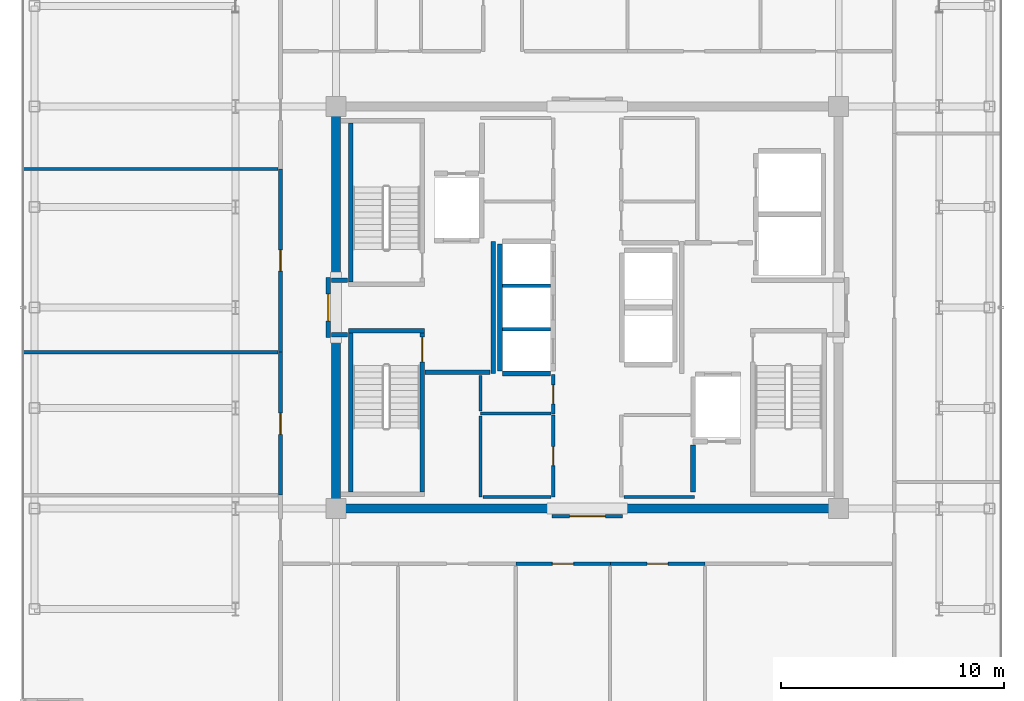
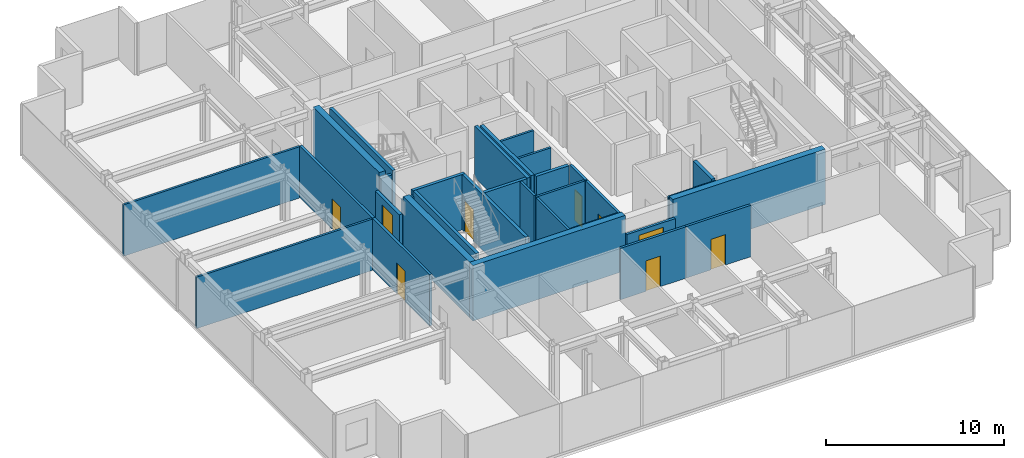
# One storey, part 13 of 18: 32 walls, 9 doors, 9 openings.
"""IFC4 building model written with IfcOpenShell, lengths in metres."""

from ifc_helpers import new_model, si_unit, direction, frame, frame_2d, origin, place, context, subcontext, project, spatial, rectangle, extrude, source, transform, mapped, material, layer, layer_set, type_object, element, fill, save


model = new_model("IFC4")

# Units and contexts
model_context = context("Model", 3, precision=1e-05, world=origin(), true_north=direction((0.0, 1.0)))
body_context = subcontext(model_context, "Body", "Model", "MODEL_VIEW")
ifc_project = project(units=[si_unit("LENGTHUNIT", "METRE"), si_unit("AREAUNIT", "SQUARE_METRE"), si_unit("VOLUMEUNIT", "CUBIC_METRE"), si_unit("PLANEANGLEUNIT", "RADIAN"), si_unit("MASSUNIT", "GRAM", prefix="KILO")], contexts=[model_context])

# Site, building, storey
site_placement = place(None, origin())
site = spatial("IfcSite", under=ifc_project, at=site_placement, CompositionType="ELEMENT")
building_placement = place(site_placement, origin())
building = spatial("IfcBuilding", under=site, at=building_placement, Name="Nefas-Gora Pilgrimage Tower", CompositionType="ELEMENT")
storey_placement = place(building_placement, frame((0.0, 0.0, 330.0)))
storey = spatial("IfcBuildingStorey", under=building, at=storey_placement, Name="L83", CompositionType="ELEMENT", Elevation=330.0)

# Walls
ifc_material_1 = material(Name="Concrete C50/60", Category="concrete")
ifc_layer_1 = layer(ifc_material_1, 0.39990234375)
ifc_layer_set_1 = layer_set([ifc_layer_1], Name="Concrete C50/60")
wall_type_1 = type_object("IfcWallType", Name="SW-CORE-400", PredefinedType="SHEAR", material=ifc_layer_set_1)
shared_shape_1 = source(origin(), body_context, "Body", "SweptSolid", [
    extrude(rectangle(XDim=9.89990234375, YDim=0.39990234375, at=frame_2d((4.949951171875, 0.0))), origin(), (0.0, 0.0, 1.0), 3.800048828125),
])
for number, where, z_axis, x_axis, name in (
    (1, (-11.449951171875, -9.0, 0.0), (0.0, 0.0, 1.0), (1.0, 0.0, 0.0), "L83 Core Shear Wall S-West"),
    (2, (1.550048828125, -9.0, 0.0), (0.0, 0.0, 1.0), (1.0, 0.0, 0.0), "L83 Core Shear Wall S-East"),
):
    element("IfcWall", number, at=place(storey_placement, frame(where, z_axis=z_axis, x_axis=x_axis)), inside=storey, type_object=wall_type_1, Name=name, PredefinedType="SHEAR", context=body_context, shape_type="MappedRepresentation", body=[
        mapped(shared_shape_1, transform((0.0, 0.0, 0.0), x_axis=(1.0, 0.0, 0.0), y_axis=(0.0, 1.0, 0.0), z_axis=(0.0, 0.0, 1.0), scale=1.0)),
    ])
shared_shape_2 = source(origin(), body_context, "Body", "SweptSolid", [
    extrude(rectangle(XDim=7.449951171875, YDim=0.39990234375, at=frame_2d((3.72509765625, 0.0))), origin(), (0.0, 0.0, 1.0), 3.800048828125),
])
for number, where, z_axis, x_axis, name in (
    (3, (-11.25, -8.800048828125, 0.0), (0.0, 0.0, 1.0), (0.0, 1.0, 0.0), "L83 Core Shear Wall W-South"),
    (4, (-11.25, 1.35009765625, 0.0), (0.0, 0.0, 1.0), (0.0, 1.0, 0.0), "L83 Core Shear Wall W-North"),
):
    element("IfcWall", number, at=place(storey_placement, frame(where, z_axis=z_axis, x_axis=x_axis)), inside=storey, type_object=wall_type_1, Name=name, PredefinedType="SHEAR", context=body_context, shape_type="MappedRepresentation", body=[
        mapped(shared_shape_2, transform((0.0, 0.0, 0.0), x_axis=(1.0, 0.0, 0.0), y_axis=(0.0, 1.0, 0.0), z_axis=(0.0, 0.0, 1.0), scale=1.0)),
    ])
ifc_material_2 = material(Name="Concrete C45/55", Category="concrete")
ifc_layer_2 = layer(ifc_material_2, 0.199951171875)
ifc_layer_set_2 = layer_set([ifc_layer_2], Name="Concrete C45/55")
wall_type_2 = type_object("IfcWallType", Name="IW-STAIR-200", PredefinedType="SOLIDWALL", material=ifc_layer_set_2)
shared_shape_3 = source(origin(), body_context, "Body", "SweptSolid", [
    extrude(rectangle(XDim=3.39990234375, YDim=0.199951171875, at=frame_2d((1.699951171875, 0.0))), origin(), (0.0, 0.0, 1.0), 3.800048828125),
])
wall_1_placement = place(storey_placement, frame((-10.699951171875, -1.050048828125, 0.0), z_axis=(0.0, 0.0, 1.0), x_axis=(1.0, 0.0, 0.0)))
element("IfcWall", 5, at=wall_1_placement, inside=storey, type_object=wall_type_2, Name="L83 Stairwell Shear Wall ST-03-near", PredefinedType="SOLIDWALL", context=body_context, shape_type="MappedRepresentation", body=[
    mapped(shared_shape_3, transform((0.0, 0.0, 0.0), x_axis=(1.0, 0.0, 0.0), y_axis=(0.0, 1.0, 0.0), z_axis=(0.0, 0.0, 1.0), scale=1.0)),
])
shared_shape_4 = source(origin(), body_context, "Body", "SweptSolid", [
    extrude(rectangle(XDim=7.10009765625, YDim=0.199951171875, at=frame_2d((3.550048828125, 0.0))), origin(), (0.0, 0.0, 1.0), 3.800048828125),
])
for number, where, z_axis, x_axis, name in (
    (6, (-10.60009765625, 1.14990234375, 0.0), (0.0, 0.0, 1.0), (0.0, 1.0, 0.0), "L83 Stairwell Shear Wall ST-01-right"),
    (7, (-10.60009765625, -1.14990234375, 0.0), (0.0, 0.0, 1.0), (0.0, -1.0, 0.0), "L83 Stairwell Shear Wall ST-03-left"),
):
    element("IfcWall", number, at=place(storey_placement, frame(where, z_axis=z_axis, x_axis=x_axis)), inside=storey, type_object=wall_type_2, Name=name, PredefinedType="SOLIDWALL", context=body_context, shape_type="MappedRepresentation", body=[
        mapped(shared_shape_4, transform((0.0, 0.0, 0.0), x_axis=(1.0, 0.0, 0.0), y_axis=(0.0, 1.0, 0.0), z_axis=(0.0, 0.0, 1.0), scale=1.0)),
    ])

# Wall, opening, door
wall_2_placement = place(storey_placement, frame((-7.39990234375, -1.14990234375, 0.0), z_axis=(0.0, 0.0, 1.0), x_axis=(0.0, -1.0, 0.0)))
wall_2 = element("IfcWall", 8, at=wall_2_placement, inside=storey, type_object=wall_type_2, Name="L83 Stairwell Shear Wall ST-03-right", PredefinedType="SOLIDWALL", context=body_context, shape_type="MappedRepresentation", body=[
    mapped(shared_shape_4, transform((0.0, 0.0, 0.0), x_axis=(1.0, 0.0, 0.0), y_axis=(0.0, 1.0, 0.0), z_axis=(0.0, 0.0, 1.0), scale=1.0)),
])
opening_1_placement = place(wall_2_placement, frame((0.179931640625, 0.0, 0.0)))
opening_1 = element("IfcOpeningElement", 9, at=opening_1_placement, cuts=wall_2, Name="Opening ID-ST1", PredefinedType="OPENING", context=body_context, shape_type="SweptSolid", body=[
    extrude(rectangle(XDim=1.10009765625, YDim=2.14990234375, at=frame_2d((0.550048828125, 1.074951171875))), frame((0.0, 0.10986328125, 0.0), z_axis=(0.0, -1.0, 0.0), x_axis=(1.0, 0.0, 0.0)), (0.0, 0.0, 1.0), 0.219970703125),
])
ifc_material_3 = material(Name="Painted galvanised steel fire stair door", Category="steel")
door_type_1 = type_object("IfcDoorType", Name="DR-INT-STAIR-1100", OperationType="NOTDEFINED", PredefinedType="DOOR", material=ifc_material_3)
shared_shape_5 = source(origin(), body_context, "Body", "SweptSolid", [
    extrude(rectangle(XDim=1.10009765625, YDim=2.14990234375, at=frame_2d((0.550048828125, 1.074951171875))), frame((0.0, 0.02490234375, 0.0), z_axis=(0.0, -1.0, 0.0), x_axis=(1.0, 0.0, 0.0)), (0.0, 0.0, 1.0), 0.050048828125),
])
door_1_placement = place(opening_1_placement, origin())
door_1 = element("IfcDoor", 10, at=door_1_placement, inside=storey, type_object=door_type_1, Name="L83 Protected Exit Stair Door ST-03", OperationType="SINGLE_SWING_LEFT", OverallHeight=2.14990234375, OverallWidth=1.10009765625, PredefinedType="DOOR", context=body_context, shape_type="MappedRepresentation", body=[
    mapped(shared_shape_5, transform((0.0, 0.0, 0.0), x_axis=(1.0, 0.0, 0.0), y_axis=(0.0, 1.0, 0.0), z_axis=(0.0, 0.0, 1.0), scale=1.0)),
])
fill(opening_1, door_1)

# Walls
ifc_material_4 = material(Name="Concrete C40/50", Category="concrete")
ifc_layer_3 = layer(ifc_material_4, 0.219970703125)
ifc_layer_set_3 = layer_set([ifc_layer_3], Name="Concrete C40/50")
wall_type_3 = type_object("IfcWallType", Name="IW-SHAFT-220", PredefinedType="SOLIDWALL", material=ifc_layer_set_3)
shared_shape_6 = source(origin(), body_context, "Body", "SweptSolid", [
    extrude(rectangle(XDim=5.7001953125, YDim=0.219970703125, at=frame_2d((2.85009765625, 0.0))), origin(), (0.0, 0.0, 1.0), 3.534912109375),
])
wall_3_placement = place(storey_placement, frame((-3.909912109375, 2.85009765625, 0.0), z_axis=(0.0, 0.0, 1.0), x_axis=(0.0, -1.0, 0.0)))
element("IfcWall", 11, at=wall_3_placement, inside=storey, type_object=wall_type_3, Name="L83 Hoistway Wall PL3-01-03-W", PredefinedType="SOLIDWALL", context=body_context, shape_type="MappedRepresentation", body=[
    mapped(shared_shape_6, transform((0.0, 0.0, 0.0), x_axis=(1.0, 0.0, 0.0), y_axis=(0.0, 1.0, 0.0), z_axis=(0.0, 0.0, 1.0), scale=1.0)),
])
shared_shape_7 = source(origin(), body_context, "Body", "SweptSolid", [
    extrude(rectangle(XDim=2.130126953125, YDim=0.219970703125, at=frame_2d((1.06494140625, 0.0))), origin(), (0.0, 0.0, 1.0), 3.534912109375),
])
wall_4_placement = place(storey_placement, frame((-3.7900390625, -2.9599609375, 0.0), z_axis=(0.0, 0.0, 1.0), x_axis=(1.0, 0.0, 0.0)))
element("IfcWall", 12, at=wall_4_placement, inside=storey, type_object=wall_type_3, Name="L83 Hoistway Wall PL3-01-S", PredefinedType="SOLIDWALL", context=body_context, shape_type="MappedRepresentation", body=[
    mapped(shared_shape_7, transform((0.0, 0.0, 0.0), x_axis=(1.0, 0.0, 0.0), y_axis=(0.0, 1.0, 0.0), z_axis=(0.0, 0.0, 1.0), scale=1.0)),
])
ifc_material_5 = material(Name="Gypsum twin-stud partition")
ifc_layer_4 = layer(ifc_material_5, 0.139892578125)
ifc_layer_set_4 = layer_set([ifc_layer_4], Name="Gypsum twin-stud partition")
wall_type_4 = type_object("IfcWallType", Name="IW-UNIT-140", PredefinedType="PARTITIONING", material=ifc_layer_set_4)
shared_shape_8 = source(origin(), body_context, "Body", "SweptSolid", [
    extrude(rectangle(XDim=2.130126953125, YDim=0.139892578125, at=frame_2d((1.06494140625, 0.0))), origin(), (0.0, 0.0, 1.0), 3.534912109375),
])
for number, where, z_axis, x_axis, name in (
    (13, (-3.7900390625, -0.97509765625, 0.0), (0.0, 0.0, 1.0), (1.0, 0.0, 0.0), "L83 Hoistway Wall PL3-01-02-DIV"),
    (14, (-3.7900390625, 0.97509765625, 0.0), (0.0, 0.0, 1.0), (1.0, 0.0, 0.0), "L83 Hoistway Wall PL3-02-03-DIV"),
):
    element("IfcWall", number, at=place(storey_placement, frame(where, z_axis=z_axis, x_axis=x_axis)), inside=storey, type_object=wall_type_4, Name=name, PredefinedType="PARTITIONING", context=body_context, shape_type="MappedRepresentation", body=[
        mapped(shared_shape_8, transform((0.0, 0.0, 0.0), x_axis=(1.0, 0.0, 0.0), y_axis=(0.0, 1.0, 0.0), z_axis=(0.0, 0.0, 1.0), scale=1.0)),
    ])
ifc_material_6 = material(Name="Gypsum fire-rated shaftwall")
ifc_layer_5 = layer(ifc_material_6, 0.199951171875)
ifc_layer_set_5 = layer_set([ifc_layer_5], Name="Gypsum fire-rated shaftwall")
wall_type_5 = type_object("IfcWallType", Name="IW-FFLOB-200", PredefinedType="PARTITIONING", material=ifc_layer_set_5)
shared_shape_9 = source(origin(), body_context, "Body", "SweptSolid", [
    extrude(rectangle(XDim=5.89990234375, YDim=0.199951171875, at=frame_2d((2.949951171875, 0.0))), origin(), (0.0, 0.0, 1.0), 3.534912109375),
])
wall_5_placement = place(storey_placement, frame((-4.219970703125, -2.949951171875, 0.0), z_axis=(0.0, 0.0, 1.0), x_axis=(0.0, 1.0, 0.0)))
element("IfcWall", 15, at=wall_5_placement, inside=storey, type_object=wall_type_5, Name="L83 FF Lobby West Inner Wall Wall 6", PredefinedType="PARTITIONING", context=body_context, shape_type="MappedRepresentation", body=[
    mapped(shared_shape_9, transform((0.0, 0.0, 0.0), x_axis=(1.0, 0.0, 0.0), y_axis=(0.0, 1.0, 0.0), z_axis=(0.0, 0.0, 1.0), scale=1.0)),
])
shared_shape_10 = source(origin(), body_context, "Body", "SweptSolid", [
    extrude(rectangle(XDim=2.89990234375, YDim=0.199951171875, at=frame_2d((1.449951171875, 0.0))), origin(), (0.0, 0.0, 1.0), 3.534912109375),
])
wall_6_placement = place(storey_placement, frame((-7.260009765625, -2.89990234375, 0.0), z_axis=(0.0, 0.0, 1.0), x_axis=(1.0, 0.0, 0.0)))
element("IfcWall", 16, at=wall_6_placement, inside=storey, type_object=wall_type_5, Name="L83 FF Lobby West South Wall Wall 7", PredefinedType="PARTITIONING", context=body_context, shape_type="MappedRepresentation", body=[
    mapped(shared_shape_10, transform((0.0, 0.0, 0.0), x_axis=(1.0, 0.0, 0.0), y_axis=(0.0, 1.0, 0.0), z_axis=(0.0, 0.0, 1.0), scale=1.0)),
])
shared_shape_11 = source(origin(), body_context, "Body", "SweptSolid", [
    extrude(rectangle(XDim=0.719970703125, YDim=0.199951171875, at=frame_2d((0.35986328125, 0.0))), origin(), (0.0, 0.0, 1.0), 3.534912109375),
])
for number, where, z_axis, x_axis, name in (
    (17, (-11.4599609375, 1.219970703125, 0.0), (0.0, 0.0, 1.0), (1.0, 0.0, 0.0), "L83 FF Lobby West Throat N Wall 8"),
    (18, (-11.4599609375, -1.219970703125, 0.0), (0.0, 0.0, 1.0), (1.0, 0.0, 0.0), "L83 FF Lobby West Throat S Wall 9"),
):
    element("IfcWall", number, at=place(storey_placement, frame(where, z_axis=z_axis, x_axis=x_axis)), inside=storey, type_object=wall_type_5, Name=name, PredefinedType="PARTITIONING", context=body_context, shape_type="MappedRepresentation", body=[
        mapped(shared_shape_11, transform((0.0, 0.0, 0.0), x_axis=(1.0, 0.0, 0.0), y_axis=(0.0, 1.0, 0.0), z_axis=(0.0, 0.0, 1.0), scale=1.0)),
    ])
shared_shape_12 = source(origin(), body_context, "Body", "SweptSolid", [
    extrude(rectangle(XDim=3.150146484375, YDim=0.139892578125, at=frame_2d((1.5751953125, 0.0))), origin(), (0.0, 0.0, 1.0), 3.534912109375),
])
for number, where, z_axis, x_axis, name in (
    (19, (-4.7900390625, -4.75, 0.0), (0.0, 0.0, 1.0), (1.0, 0.0, 0.0), "L83 Guest Self-Service Laundry Room Partition Wall 28"),
    (20, (1.639892578125, -8.47998046875, 0.0), (0.0, 0.0, 1.0), (1.0, 0.0, 0.0), "L83 High-Rise Tableware Store Partition Wall 35"),
):
    element("IfcWall", number, at=place(storey_placement, frame(where, z_axis=z_axis, x_axis=x_axis)), inside=storey, type_object=wall_type_4, Name=name, PredefinedType="PARTITIONING", context=body_context, shape_type="MappedRepresentation", body=[
        mapped(shared_shape_12, transform((0.0, 0.0, 0.0), x_axis=(1.0, 0.0, 0.0), y_axis=(0.0, 1.0, 0.0), z_axis=(0.0, 0.0, 1.0), scale=1.0)),
    ])
shared_shape_13 = source(origin(), body_context, "Body", "SweptSolid", [
    extrude(rectangle(XDim=11.429931640625, YDim=0.139892578125, at=frame_2d((5.71484375, 0.0))), origin(), (0.0, 0.0, 1.0), 3.534912109375),
])
for number, where, z_axis, x_axis, name in (
    (21, (-25.2900390625, -2.0048828125, 0.0), (0.0, 0.0, 1.0), (1.0, 0.0, 0.0), "L83 Pilgrim Tea and Beverage Pantry Partition Wall 42"),
    (22, (-25.2900390625, 6.195068359375, 0.0), (0.0, 0.0, 1.0), (1.0, 0.0, 0.0), "L83 Pilgrim Tea and Beverage Pantry Partition Wall 44"),
):
    element("IfcWall", number, at=place(storey_placement, frame(where, z_axis=z_axis, x_axis=x_axis)), inside=storey, type_object=wall_type_4, Name=name, PredefinedType="PARTITIONING", context=body_context, shape_type="MappedRepresentation", body=[
        mapped(shared_shape_13, transform((0.0, 0.0, 0.0), x_axis=(1.0, 0.0, 0.0), y_axis=(0.0, 1.0, 0.0), z_axis=(0.0, 0.0, 1.0), scale=1.0)),
    ])

# Wall, opening, door
ifc_material_7 = material(Name="Gypsum acoustic stud partition")
ifc_layer_6 = layer(ifc_material_7, 0.159912109375)
ifc_layer_set_6 = layer_set([ifc_layer_6], Name="Gypsum acoustic stud partition")
wall_type_6 = type_object("IfcWallType", Name="IW-CORR-160", PredefinedType="PARTITIONING", material=ifc_layer_set_6)
shared_shape_14 = source(origin(), body_context, "Body", "SweptSolid", [
    extrude(rectangle(XDim=1.75, YDim=0.159912109375, at=frame_2d((0.875, 0.0))), origin(), (0.0, 0.0, 1.0), 3.534912109375),
])
wall_7_placement = place(storey_placement, frame((-1.52001953125, -4.760009765625, 0.0), z_axis=(0.0, 0.0, 1.0), x_axis=(0.0, 1.0, 0.0)))
wall_7 = element("IfcWall", 23, at=wall_7_placement, inside=storey, type_object=wall_type_6, Name="L83 Guest Self-Service Laundry Room Wall 27", PredefinedType="PARTITIONING", context=body_context, shape_type="MappedRepresentation", body=[
    mapped(shared_shape_14, transform((0.0, 0.0, 0.0), x_axis=(1.0, 0.0, 0.0), y_axis=(0.0, 1.0, 0.0), z_axis=(0.0, 0.0, 1.0), scale=1.0)),
])
opening_2_placement = place(wall_7_placement, frame((0.449951171875, 0.0, 0.0)))
opening_2 = element("IfcOpeningElement", 24, at=opening_2_placement, cuts=wall_7, Name="Opening ID-BT1", PredefinedType="OPENING", context=body_context, shape_type="SweptSolid", body=[
    extrude(rectangle(XDim=0.85009765625, YDim=2.10009765625, at=frame_2d((0.425048828125, 1.050048828125))), frame((0.0, 0.08984375, 0.0), z_axis=(0.0, -1.0, 0.0), x_axis=(1.0, 0.0, 0.0)), (0.0, 0.0, 1.0), 0.179931640625),
])
ifc_material_8 = material(Name="Moisture-resistant fire-rated timber door", Category="wood")
door_type_2 = type_object("IfcDoorType", Name="DR-INT-BATH-850", OperationType="NOTDEFINED", PredefinedType="DOOR", material=ifc_material_8)
shared_shape_15 = source(origin(), body_context, "Body", "SweptSolid", [
    extrude(rectangle(XDim=0.85009765625, YDim=2.10009765625, at=frame_2d((0.425048828125, 1.050048828125))), frame((0.0, 0.02490234375, 0.0), z_axis=(0.0, -1.0, 0.0), x_axis=(1.0, 0.0, 0.0)), (0.0, 0.0, 1.0), 0.050048828125),
])
door_2_placement = place(opening_2_placement, origin())
door_2 = element("IfcDoor", 25, at=door_2_placement, inside=storey, type_object=door_type_2, Name="L83 Guest Self-Service Laundry Room Door 12", OperationType="SINGLE_SWING_LEFT", OverallHeight=2.10009765625, OverallWidth=0.85009765625, PredefinedType="DOOR", context=body_context, shape_type="MappedRepresentation", body=[
    mapped(shared_shape_15, transform((0.0, 0.0, 0.0), x_axis=(1.0, 0.0, 0.0), y_axis=(0.0, 1.0, 0.0), z_axis=(0.0, 0.0, 1.0), scale=1.0)),
])
fill(opening_2, door_2)

shared_shape_16 = source(origin(), body_context, "Body", "SweptSolid", [
    extrude(rectangle(XDim=3.679931640625, YDim=0.159912109375, at=frame_2d((1.83984375, 0.0))), origin(), (0.0, 0.0, 1.0), 3.534912109375),
])
wall_8_placement = place(storey_placement, frame((-1.52001953125, -8.489990234375, 0.0), z_axis=(0.0, 0.0, 1.0), x_axis=(0.0, 1.0, 0.0)))
wall_8 = element("IfcWall", 26, at=wall_8_placement, inside=storey, type_object=wall_type_6, Name="L83 High-Rise Linen Store Wall 30", PredefinedType="PARTITIONING", context=body_context, shape_type="MappedRepresentation", body=[
    mapped(shared_shape_16, transform((0.0, 0.0, 0.0), x_axis=(1.0, 0.0, 0.0), y_axis=(0.0, 1.0, 0.0), z_axis=(0.0, 0.0, 1.0), scale=1.0)),
])
opening_3_placement = place(wall_8_placement, frame((1.4150390625, 0.0, 0.0)))
opening_3 = element("IfcOpeningElement", 27, at=opening_3_placement, cuts=wall_8, Name="Opening ID-BT1", PredefinedType="OPENING", context=body_context, shape_type="SweptSolid", body=[
    extrude(rectangle(XDim=0.85009765625, YDim=2.10009765625, at=frame_2d((0.425048828125, 1.050048828125))), frame((0.0, 0.08984375, 0.0), z_axis=(0.0, -1.0, 0.0), x_axis=(1.0, 0.0, 0.0)), (0.0, 0.0, 1.0), 0.179931640625),
])
door_3_placement = place(opening_3_placement, origin())
door_3 = element("IfcDoor", 28, at=door_3_placement, inside=storey, type_object=door_type_2, Name="L83 High-Rise Linen Store Door 13", OperationType="SINGLE_SWING_RIGHT", OverallHeight=2.10009765625, OverallWidth=0.85009765625, PredefinedType="DOOR", context=body_context, shape_type="MappedRepresentation", body=[
    mapped(shared_shape_15, transform((0.0, 0.0, 0.0), x_axis=(1.0, 0.0, 0.0), y_axis=(0.0, 1.0, 0.0), z_axis=(0.0, 0.0, 1.0), scale=1.0)),
])
fill(opening_3, door_3)

shared_shape_17 = source(origin(), body_context, "Body", "SweptSolid", [
    extrude(rectangle(XDim=2.7001953125, YDim=0.199951171875, at=frame_2d((1.35009765625, 0.0))), origin(), (0.0, 0.0, 1.0), 2.625),
])
wall_9_placement = place(storey_placement, frame((-11.60009765625, -1.35009765625, 0.0), z_axis=(0.0, 0.0, 1.0), x_axis=(0.0, 1.0, 0.0)))
wall_9 = element("IfcWall", 29, at=wall_9_placement, inside=storey, type_object=wall_type_5, Name="L83 FF Lobby West Portal Wall 5", PredefinedType="PARTITIONING", context=body_context, shape_type="MappedRepresentation", body=[
    mapped(shared_shape_17, transform((0.0, 0.0, 0.0), x_axis=(1.0, 0.0, 0.0), y_axis=(0.0, 1.0, 0.0), z_axis=(0.0, 0.0, 1.0), scale=1.0)),
])
opening_4_placement = place(wall_9_placement, frame((0.75, 0.0, 0.0)))
opening_4 = element("IfcOpeningElement", 30, at=opening_4_placement, cuts=wall_9, Name="Opening ID-FF1", PredefinedType="OPENING", context=body_context, shape_type="SweptSolid", body=[
    extrude(rectangle(XDim=1.199951171875, YDim=2.14990234375, at=frame_2d((0.60009765625, 1.074951171875))), frame((0.0, 0.10986328125, 0.0), z_axis=(0.0, -1.0, 0.0), x_axis=(1.0, 0.0, 0.0)), (0.0, 0.0, 1.0), 0.219970703125),
])
ifc_material_9 = material(Name="Smoke-sealed steel firefighting lobby door", Category="steel")
door_type_3 = type_object("IfcDoorType", Name="DR-INT-FFLOB-1200", OperationType="NOTDEFINED", PredefinedType="DOOR", material=ifc_material_9)
shared_shape_18 = source(origin(), body_context, "Body", "SweptSolid", [
    extrude(rectangle(XDim=1.199951171875, YDim=2.14990234375, at=frame_2d((0.60009765625, 1.074951171875))), frame((0.0, 0.02490234375, 0.0), z_axis=(0.0, -1.0, 0.0), x_axis=(1.0, 0.0, 0.0)), (0.0, 0.0, 1.0), 0.050048828125),
])
door_4_placement = place(opening_4_placement, origin())
door_4 = element("IfcDoor", 31, at=door_4_placement, inside=storey, type_object=door_type_3, Name="L83 FF Lobby West Portal Door 3", OperationType="SINGLE_SWING_RIGHT", OverallHeight=2.14990234375, OverallWidth=1.199951171875, PredefinedType="DOOR", context=body_context, shape_type="MappedRepresentation", body=[
    mapped(shared_shape_18, transform((0.0, 0.0, 0.0), x_axis=(1.0, 0.0, 0.0), y_axis=(0.0, 1.0, 0.0), z_axis=(0.0, 0.0, 1.0), scale=1.0)),
])
fill(opening_4, door_4)

shared_shape_19 = source(origin(), body_context, "Body", "SweptSolid", [
    extrude(rectangle(XDim=3.16015625, YDim=0.159912109375, at=frame_2d((1.580078125, 0.0))), origin(), (0.0, 0.0, 1.0), 2.625),
])
wall_10_placement = place(storey_placement, frame((-1.580078125, -9.35009765625, 0.0), z_axis=(0.0, 0.0, 1.0), x_axis=(1.0, 0.0, 0.0)))
wall_10 = element("IfcWall", 32, at=wall_10_placement, inside=storey, type_object=wall_type_6, Name="L83 Central Lift Lobby South Portal Wall 17", PredefinedType="PARTITIONING", context=body_context, shape_type="MappedRepresentation", body=[
    mapped(shared_shape_19, transform((0.0, 0.0, 0.0), x_axis=(1.0, 0.0, 0.0), y_axis=(0.0, 1.0, 0.0), z_axis=(0.0, 0.0, 1.0), scale=1.0)),
])
opening_5_placement = place(wall_10_placement, frame((0.780029296875, 0.0, 0.0)))
opening_5 = element("IfcOpeningElement", 33, at=opening_5_placement, cuts=wall_10, Name="Opening ID-HL1", PredefinedType="OPENING", context=body_context, shape_type="SweptSolid", body=[
    extrude(rectangle(XDim=1.60009765625, YDim=2.300048828125, at=frame_2d((0.800048828125, 1.14990234375))), frame((0.0, 0.08984375, 0.0), z_axis=(0.0, -1.0, 0.0), x_axis=(1.0, 0.0, 0.0)), (0.0, 0.0, 1.0), 0.179931640625),
])
ifc_material_10 = material(Name="Double acoustic timber assembly hall door", Category="wood")
door_type_4 = type_object("IfcDoorType", Name="DR-INT-HALL-1600", OperationType="DOUBLE_DOOR_SINGLE_SWING", PredefinedType="DOOR", material=ifc_material_10)
shared_shape_20 = source(origin(), body_context, "Body", "SweptSolid", [
    extrude(rectangle(XDim=1.60009765625, YDim=2.300048828125, at=frame_2d((0.800048828125, 1.14990234375))), frame((0.0, 0.02490234375, 0.0), z_axis=(0.0, -1.0, 0.0), x_axis=(1.0, 0.0, 0.0)), (0.0, 0.0, 1.0), 0.050048828125),
])
door_5_placement = place(opening_5_placement, origin())
door_5 = element("IfcDoor", 34, at=door_5_placement, inside=storey, type_object=door_type_4, Name="L83 Central Lift Lobby South Portal Door 7", OperationType="DOUBLE_DOOR_SINGLE_SWING", OverallHeight=2.300048828125, OverallWidth=1.60009765625, PredefinedType="DOOR", context=body_context, shape_type="MappedRepresentation", body=[
    mapped(shared_shape_20, transform((0.0, 0.0, 0.0), x_axis=(1.0, 0.0, 0.0), y_axis=(0.0, 1.0, 0.0), z_axis=(0.0, 0.0, 1.0), scale=1.0)),
])
fill(opening_5, door_5)

# Walls
shared_shape_21 = source(origin(), body_context, "Body", "SweptSolid", [
    extrude(rectangle(XDim=2.10009765625, YDim=0.219970703125, at=frame_2d((1.050048828125, 0.0))), origin(), (0.0, 0.0, 1.0), 3.534912109375),
])
wall_11_placement = place(storey_placement, frame((4.719970703125, -8.25, 0.0), z_axis=(0.0, 0.0, 1.0), x_axis=(0.0, 1.0, 0.0)))
element("IfcWall", 35, at=wall_11_placement, inside=storey, type_object=wall_type_3, Name="L83 Riser Shaft Wall 4", PredefinedType="SOLIDWALL", context=body_context, shape_type="MappedRepresentation", body=[
    mapped(shared_shape_21, transform((0.0, 0.0, 0.0), x_axis=(1.0, 0.0, 0.0), y_axis=(0.0, 1.0, 0.0), z_axis=(0.0, 0.0, 1.0), scale=1.0)),
])
shared_shape_22 = source(origin(), body_context, "Body", "SweptSolid", [
    extrude(rectangle(XDim=1.599853515625, YDim=0.139892578125, at=frame_2d((0.7998046875, 0.0))), origin(), (0.0, 0.0, 1.0), 3.534912109375),
])
wall_12_placement = place(storey_placement, frame((-4.780029296875, -4.639892578125, 0.0), z_axis=(0.0, 0.0, 1.0), x_axis=(0.0, 1.0, 0.0)))
element("IfcWall", 36, at=wall_12_placement, inside=storey, type_object=wall_type_4, Name="L83 Guest Self-Service Laundry Room Partition Wall 29", PredefinedType="PARTITIONING", context=body_context, shape_type="MappedRepresentation", body=[
    mapped(shared_shape_22, transform((0.0, 0.0, 0.0), x_axis=(1.0, 0.0, 0.0), y_axis=(0.0, 1.0, 0.0), z_axis=(0.0, 0.0, 1.0), scale=1.0)),
])
shared_shape_23 = source(origin(), body_context, "Body", "SweptSolid", [
    extrude(rectangle(XDim=3.6298828125, YDim=0.139892578125, at=frame_2d((1.81494140625, 0.0))), origin(), (0.0, 0.0, 1.0), 3.534912109375),
])
wall_13_placement = place(storey_placement, frame((-4.780029296875, -8.489990234375, 0.0), z_axis=(0.0, 0.0, 1.0), x_axis=(0.0, 1.0, 0.0)))
element("IfcWall", 37, at=wall_13_placement, inside=storey, type_object=wall_type_4, Name="L83 High-Rise Linen Store Partition Wall 31", PredefinedType="PARTITIONING", context=body_context, shape_type="MappedRepresentation", body=[
    mapped(shared_shape_23, transform((0.0, 0.0, 0.0), x_axis=(1.0, 0.0, 0.0), y_axis=(0.0, 1.0, 0.0), z_axis=(0.0, 0.0, 1.0), scale=1.0)),
])
shared_shape_24 = source(origin(), body_context, "Body", "SweptSolid", [
    extrude(rectangle(XDim=3.030029296875, YDim=0.139892578125, at=frame_2d((1.51513671875, 0.0))), origin(), (0.0, 0.0, 1.0), 3.534912109375),
])
wall_14_placement = place(storey_placement, frame((-4.669921875, -8.47998046875, 0.0), z_axis=(0.0, 0.0, 1.0), x_axis=(1.0, 0.0, 0.0)))
element("IfcWall", 38, at=wall_14_placement, inside=storey, type_object=wall_type_4, Name="L83 High-Rise Linen Store Partition Wall 32", PredefinedType="PARTITIONING", context=body_context, shape_type="MappedRepresentation", body=[
    mapped(shared_shape_24, transform((0.0, 0.0, 0.0), x_axis=(1.0, 0.0, 0.0), y_axis=(0.0, 1.0, 0.0), z_axis=(0.0, 0.0, 1.0), scale=1.0)),
])

# Wall, opening, door
shared_shape_25 = source(origin(), body_context, "Body", "SweptSolid", [
    extrude(rectangle(XDim=6.409912109375, YDim=0.159912109375, at=frame_2d((3.205078125, 0.0))), origin(), (0.0, 0.0, 1.0), 3.534912109375),
])
wall_15_placement = place(storey_placement, frame((-13.739990234375, -8.405029296875, 0.0), z_axis=(0.0, 0.0, 1.0), x_axis=(0.0, 1.0, 0.0)))
wall_15 = element("IfcWall", 39, at=wall_15_placement, inside=storey, type_object=wall_type_6, Name="L83 Pilgrim Tea and Beverage Pantry Partition Wall 41", PredefinedType="PARTITIONING", context=body_context, shape_type="MappedRepresentation", body=[
    mapped(shared_shape_25, transform((0.0, 0.0, 0.0), x_axis=(1.0, 0.0, 0.0), y_axis=(0.0, 1.0, 0.0), z_axis=(0.0, 0.0, 1.0), scale=1.0)),
])
opening_6_placement = place(wall_15_placement, frame((2.72998046875, 0.0, 0.0)))
opening_6 = element("IfcOpeningElement", 40, at=opening_6_placement, cuts=wall_15, Name="Opening ID-GR1", PredefinedType="OPENING", context=body_context, shape_type="SweptSolid", body=[
    extrude(rectangle(XDim=0.949951171875, YDim=2.10009765625, at=frame_2d((0.47509765625, 1.050048828125))), frame((0.0, 0.08984375, 0.0), z_axis=(0.0, -1.0, 0.0), x_axis=(1.0, 0.0, 0.0)), (0.0, 0.0, 1.0), 0.179931640625),
])
ifc_material_11 = material(Name="Solid core oak fire-rated guest entrance door")
door_type_5 = type_object("IfcDoorType", Name="DR-INT-GUEST-950", OperationType="NOTDEFINED", PredefinedType="DOOR", material=ifc_material_11)
shared_shape_26 = source(origin(), body_context, "Body", "SweptSolid", [
    extrude(rectangle(XDim=0.949951171875, YDim=2.10009765625, at=frame_2d((0.47509765625, 1.050048828125))), frame((0.0, 0.02490234375, 0.0), z_axis=(0.0, -1.0, 0.0), x_axis=(1.0, 0.0, 0.0)), (0.0, 0.0, 1.0), 0.050048828125),
])
door_6_placement = place(opening_6_placement, origin())
door_6 = element("IfcDoor", 41, at=door_6_placement, inside=storey, type_object=door_type_5, Name="L83 Pilgrim Tea and Beverage Pantry Door 17", OperationType="SINGLE_SWING_RIGHT", OverallHeight=2.10009765625, OverallWidth=0.949951171875, PredefinedType="DOOR", context=body_context, shape_type="MappedRepresentation", body=[
    mapped(shared_shape_26, transform((0.0, 0.0, 0.0), x_axis=(1.0, 0.0, 0.0), y_axis=(0.0, 1.0, 0.0), z_axis=(0.0, 0.0, 1.0), scale=1.0)),
])
fill(opening_6, door_6)

shared_shape_27 = source(origin(), body_context, "Body", "SweptSolid", [
    extrude(rectangle(XDim=8.2099609375, YDim=0.159912109375, at=frame_2d((4.10498046875, 0.0))), origin(), (0.0, 0.0, 1.0), 3.534912109375),
])
wall_16_placement = place(storey_placement, frame((-13.739990234375, -2.0048828125, 0.0), z_axis=(0.0, 0.0, 1.0), x_axis=(0.0, 1.0, 0.0)))
wall_16 = element("IfcWall", 42, at=wall_16_placement, inside=storey, type_object=wall_type_6, Name="L83 Pilgrim Tea and Beverage Pantry Partition Wall 43", PredefinedType="PARTITIONING", context=body_context, shape_type="MappedRepresentation", body=[
    mapped(shared_shape_27, transform((0.0, 0.0, 0.0), x_axis=(1.0, 0.0, 0.0), y_axis=(0.0, 1.0, 0.0), z_axis=(0.0, 0.0, 1.0), scale=1.0)),
])
opening_7_placement = place(wall_16_placement, frame((3.6298828125, 0.0, 0.0)))
opening_7 = element("IfcOpeningElement", 43, at=opening_7_placement, cuts=wall_16, Name="Opening ID-GR1", PredefinedType="OPENING", context=body_context, shape_type="SweptSolid", body=[
    extrude(rectangle(XDim=0.949951171875, YDim=2.10009765625, at=frame_2d((0.47509765625, 1.050048828125))), frame((0.0, 0.08984375, 0.0), z_axis=(0.0, -1.0, 0.0), x_axis=(1.0, 0.0, 0.0)), (0.0, 0.0, 1.0), 0.179931640625),
])
door_7_placement = place(opening_7_placement, origin())
door_7 = element("IfcDoor", 44, at=door_7_placement, inside=storey, type_object=door_type_5, Name="L83 Pilgrim Tea and Beverage Pantry Door 18", OperationType="SINGLE_SWING_LEFT", OverallHeight=2.10009765625, OverallWidth=0.949951171875, PredefinedType="DOOR", context=body_context, shape_type="MappedRepresentation", body=[
    mapped(shared_shape_26, transform((0.0, 0.0, 0.0), x_axis=(1.0, 0.0, 0.0), y_axis=(0.0, 1.0, 0.0), z_axis=(0.0, 0.0, 1.0), scale=1.0)),
])
fill(opening_7, door_7)

shared_shape_28 = source(origin(), body_context, "Body", "SweptSolid", [
    extrude(rectangle(XDim=4.232666015625, YDim=0.159912109375, at=frame_2d((2.1162109375, 0.0))), origin(), (0.0, 0.0, 1.0), 3.534912109375),
])
wall_17_placement = place(storey_placement, frame((-3.205078125, -11.469970703125, 0.0), z_axis=(0.0, 0.0, 1.0), x_axis=(1.0, 0.0, 0.0)))
wall_17 = element("IfcWall", 45, at=wall_17_placement, inside=storey, type_object=wall_type_6, Name="L83 Pilgrim Contemplative Lounge Partition Wall 67", PredefinedType="PARTITIONING", context=body_context, shape_type="MappedRepresentation", body=[
    mapped(shared_shape_28, transform((0.0, 0.0, 0.0), x_axis=(1.0, 0.0, 0.0), y_axis=(0.0, 1.0, 0.0), z_axis=(0.0, 0.0, 1.0), scale=1.0)),
])
opening_8_placement = place(wall_17_placement, frame((1.641357421875, 0.0, 0.0)))
opening_8 = element("IfcOpeningElement", 46, at=opening_8_placement, cuts=wall_17, Name="Opening ID-GR1", PredefinedType="OPENING", context=body_context, shape_type="SweptSolid", body=[
    extrude(rectangle(XDim=0.949951171875, YDim=2.10009765625, at=frame_2d((0.47509765625, 1.050048828125))), frame((0.0, 0.08984375, 0.0), z_axis=(0.0, -1.0, 0.0), x_axis=(1.0, 0.0, 0.0)), (0.0, 0.0, 1.0), 0.179931640625),
])
door_8_placement = place(opening_8_placement, origin())
door_8 = element("IfcDoor", 47, at=door_8_placement, inside=storey, type_object=door_type_5, Name="L83 Pilgrim Contemplative Lounge Door 30", OperationType="SINGLE_SWING_LEFT", OverallHeight=2.10009765625, OverallWidth=0.949951171875, PredefinedType="DOOR", context=body_context, shape_type="MappedRepresentation", body=[
    mapped(shared_shape_26, transform((0.0, 0.0, 0.0), x_axis=(1.0, 0.0, 0.0), y_axis=(0.0, 1.0, 0.0), z_axis=(0.0, 0.0, 1.0), scale=1.0)),
])
fill(opening_8, door_8)

shared_shape_29 = source(origin(), body_context, "Body", "SweptSolid", [
    extrude(rectangle(XDim=4.232421875, YDim=0.159912109375, at=frame_2d((2.1162109375, 0.0))), origin(), (0.0, 0.0, 1.0), 3.534912109375),
])
wall_18_placement = place(storey_placement, frame((1.027587890625, -11.469970703125, 0.0), z_axis=(0.0, 0.0, 1.0), x_axis=(1.0, 0.0, 0.0)))
wall_18 = element("IfcWall", 48, at=wall_18_placement, inside=storey, type_object=wall_type_6, Name="L83 Pilgrim Contemplative Lounge Partition Wall 69", PredefinedType="PARTITIONING", context=body_context, shape_type="MappedRepresentation", body=[
    mapped(shared_shape_29, transform((0.0, 0.0, 0.0), x_axis=(1.0, 0.0, 0.0), y_axis=(0.0, 1.0, 0.0), z_axis=(0.0, 0.0, 1.0), scale=1.0)),
])
opening_9_placement = place(wall_18_placement, frame((1.641357421875, 0.0, 0.0)))
opening_9 = element("IfcOpeningElement", 49, at=opening_9_placement, cuts=wall_18, Name="Opening ID-GR1", PredefinedType="OPENING", context=body_context, shape_type="SweptSolid", body=[
    extrude(rectangle(XDim=0.949951171875, YDim=2.10009765625, at=frame_2d((0.47509765625, 1.050048828125))), frame((0.0, 0.08984375, 0.0), z_axis=(0.0, -1.0, 0.0), x_axis=(1.0, 0.0, 0.0)), (0.0, 0.0, 1.0), 0.179931640625),
])
door_9_placement = place(opening_9_placement, origin())
door_9 = element("IfcDoor", 50, at=door_9_placement, inside=storey, type_object=door_type_5, Name="L83 Pilgrim Contemplative Lounge Door 31", OperationType="SINGLE_SWING_RIGHT", OverallHeight=2.10009765625, OverallWidth=0.949951171875, PredefinedType="DOOR", context=body_context, shape_type="MappedRepresentation", body=[
    mapped(shared_shape_26, transform((0.0, 0.0, 0.0), x_axis=(1.0, 0.0, 0.0), y_axis=(0.0, 1.0, 0.0), z_axis=(0.0, 0.0, 1.0), scale=1.0)),
])
fill(opening_9, door_9)

save(model, "model.ifc")
